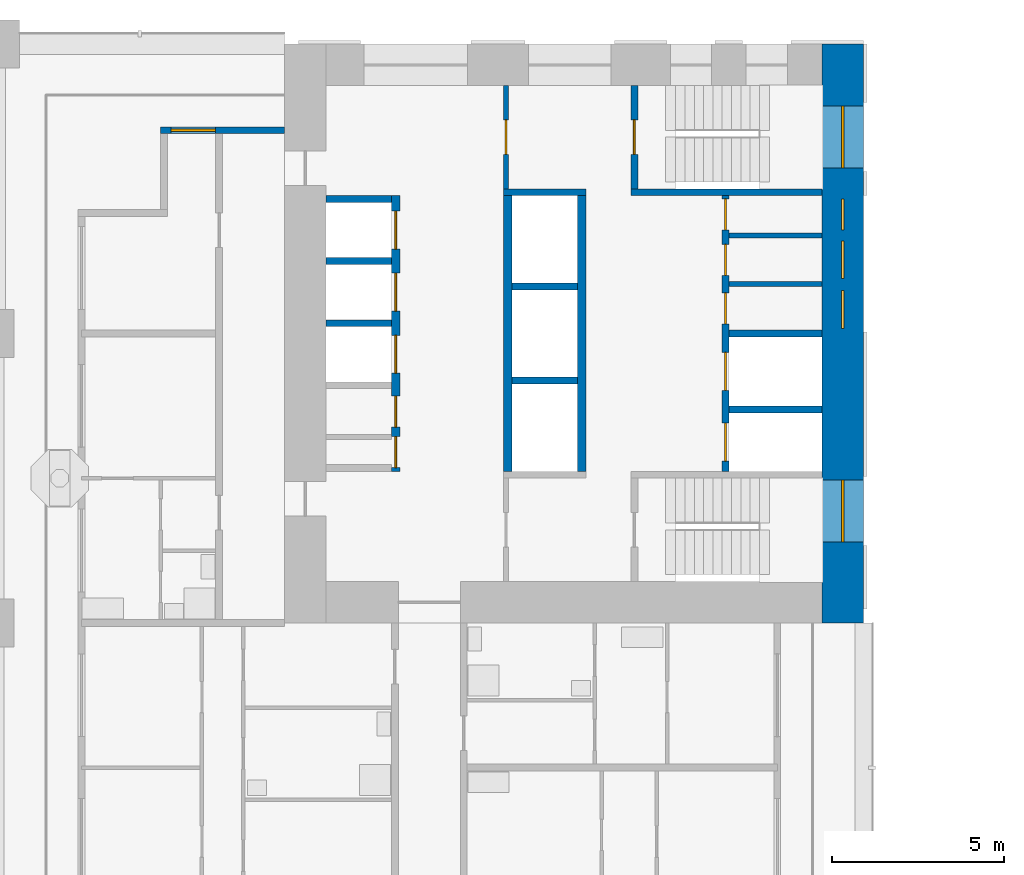
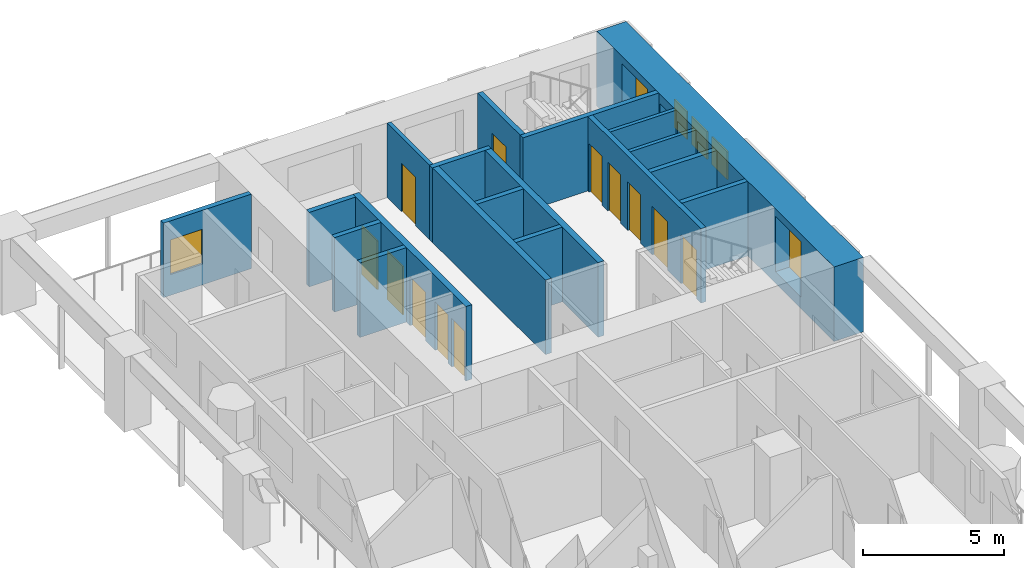
# One storey, part 10 of 22: 19 walls, 12 doors, 6 windows, 18 openings.
"""IFC4 building model written with IfcOpenShell, lengths in metres."""

from ifc_helpers import new_model, si_unit, direction, frame, frame_2d, origin, place, context, subcontext, project, spatial, rectangle, extrude, material, layer, layer_set, type_object, element, fill, save


model = new_model("IFC4")

# Units and contexts
model_context = context("Model", 3, precision=1e-05, world=origin(), true_north=direction((0.0, 1.0)))
body_context = subcontext(model_context, "Body", "Model", "MODEL_VIEW")
ifc_project = project(units=[si_unit("LENGTHUNIT", "METRE"), si_unit("AREAUNIT", "SQUARE_METRE"), si_unit("VOLUMEUNIT", "CUBIC_METRE"), si_unit("PLANEANGLEUNIT", "RADIAN"), si_unit("MASSUNIT", "GRAM", prefix="KILO")], contexts=[model_context])

# Site, building, storey
site_placement = place(None, origin())
site = spatial("IfcSite", under=ifc_project, at=site_placement, CompositionType="ELEMENT")
building_placement = place(site_placement, origin())
building = spatial("IfcBuilding", under=site, at=building_placement, Name="Vermilion Gate Residences", CompositionType="ELEMENT")
storey_placement = place(building_placement, frame((0.0, 0.0, 63.699951171875)))
storey = spatial("IfcBuildingStorey", under=building, at=storey_placement, Name="L15", CompositionType="ELEMENT", Elevation=63.699951171875)

# Walls
ifc_material_1 = material(Name="Masonry blockwork", Category="masonry")
ifc_layer_1 = layer(ifc_material_1, 0.14990234375)
ifc_layer_set_1 = layer_set([ifc_layer_1], Name="BLOCKWORK PARTITION 150 EI 120")
wall_type_1 = type_object("IfcWallType", Name="BLOCKWORK PARTITION 150 EI 120", PredefinedType="PARTITIONING", material=ifc_layer_set_1)
for number, where, z_axis, x_axis, name in (
    (1, (21.300048828125, 53.2451171875, 0.0), (0.0, 0.0, 1.0), (1.0, 0.0, 0.0), "Core room partition B15-NR-P0"),
    (2, (21.300048828125, 51.8349609375, 0.0), (0.0, 0.0, 1.0), (1.0, 0.0, 0.0), "Core room partition B15-NR-P1"),
):
    element("IfcWall", number, at=place(storey_placement, frame(where, z_axis=z_axis, x_axis=x_axis)), inside=storey, type_object=wall_type_1, Name=name, PredefinedType="PARTITIONING", context=body_context, shape_type="SweptSolid", body=[
        extrude(rectangle(XDim=2.699951171875, YDim=0.14990234375, at=frame_2d((1.35009765625, 0.0))), origin(), (0.0, 0.0, 1.0), 3.219970703125),
    ])

# Wall, opening, door
wall_1_placement = place(storey_placement, frame((14.824951171875, 57.60009765625, 0.0), z_axis=(0.0, 0.0, 1.0), x_axis=(0.0, -1.0, 0.0)))
wall_1 = element("IfcWall", 3, at=wall_1_placement, inside=storey, type_object=wall_type_1, Name="Core room partition B15-VW-S", PredefinedType="PARTITIONING", context=body_context, shape_type="SweptSolid", body=[
    extrude(rectangle(XDim=3.0, YDim=0.14990234375, at=frame_2d((1.5, 0.0))), origin(), (0.0, 0.0, 1.0), 3.219970703125),
])
opening_1_placement = place(wall_1_placement, frame((1.0, 0.0, 0.0)))
opening_1 = element("IfcOpeningElement", 4, at=opening_1_placement, cuts=wall_1, Name="Opening DK15114", PredefinedType="OPENING", context=body_context, shape_type="SweptSolid", body=[
    extrude(rectangle(XDim=1.0, YDim=2.10009765625, at=frame_2d((0.5, 1.050048828125))), frame((0.0, 0.0849609375, 0.0), z_axis=(0.0, -1.0, 0.0), x_axis=(1.0, 0.0, 0.0)), (0.0, 0.0, 1.0), 0.169921875),
])
ifc_material_2 = material(Name="Steel", Category="steel")
door_type_1 = type_object("IfcDoorType", Name="FIRE DOOR FD60 1000 X 2100", OperationType="SINGLE_SWING_LEFT", PredefinedType="DOOR", material=ifc_material_2)
door_1_placement = place(opening_1_placement, frame((1.0, 0.0, 0.0), z_axis=(0.0, 0.0, 1.0), x_axis=(-1.0, 0.0, 0.0)))
door_1 = element("IfcDoor", 5, at=door_1_placement, inside=storey, type_object=door_type_1, Name="Stair vestibule door B15", OperationType="SINGLE_SWING_RIGHT", OverallHeight=2.10009765625, OverallWidth=1.0, PredefinedType="DOOR", context=body_context, shape_type="SweptSolid", body=[
    extrude(rectangle(XDim=1.0, YDim=2.10009765625, at=frame_2d((0.5, 1.050048828125))), frame((0.0, 0.02490234375, 0.0), z_axis=(0.0, -1.0, 0.0), x_axis=(1.0, 0.0, 0.0)), (0.0, 0.0, 1.0), 0.050048828125),
])
fill(opening_1, door_1)

# Wall, opening, window
ifc_material_3 = material(Name="Insulated steel stud wall with terracotta rainscreen", Category="masonry")
ifc_layer_2 = layer(ifc_material_3, 0.199951171875)
ifc_layer_set_2 = layer_set([ifc_layer_2], Name="EXTERNAL WALL 200 TERRACOTTA RAINSCREEN")
wall_type_2 = type_object("IfcWallType", Name="EXTERNAL WALL 200 TERRACOTTA RAINSCREEN", PredefinedType="SOLIDWALL", material=ifc_layer_set_2)
wall_2_placement = place(storey_placement, frame((8.39990234375, 56.300048828125, 0.0), z_axis=(0.0, 0.0, 1.0), x_axis=(-1.0, 0.0, 0.0)))
wall_2 = element("IfcWall", 6, at=wall_2_placement, inside=storey, type_object=wall_type_2, Name="External wall", PredefinedType="SOLIDWALL", context=body_context, shape_type="SweptSolid", body=[
    extrude(rectangle(XDim=3.599853515625, YDim=0.199951171875, at=frame_2d((1.7998046875, 0.0))), origin(), (0.0, 0.0, 1.0), 3.219970703125),
])
opening_2_placement = place(wall_2_placement, frame((2.0, 0.0, 0.89990234375)))
opening_2 = element("IfcOpeningElement", 7, at=opening_2_placement, cuts=wall_2, Name="Opening WE15001", PredefinedType="OPENING", context=body_context, shape_type="SweptSolid", body=[
    extrude(rectangle(XDim=1.300048828125, YDim=1.5, at=frame_2d((0.64990234375, 0.75))), frame((0.0, 0.10986328125, 0.0), z_axis=(0.0, -1.0, 0.0), x_axis=(1.0, 0.0, 0.0)), (0.0, 0.0, 1.0), 0.219970703125),
])
ifc_material_4 = material(Name="Aluminium and clear glass", Category="aluminium")
window_type_1 = type_object("IfcWindowType", Name="WINDOW 1300 X 1500", PartitioningType="SINGLE_PANEL", PredefinedType="WINDOW", material=ifc_material_4)
window_1_placement = place(opening_2_placement, origin())
window_1 = element("IfcWindow", 8, at=window_1_placement, inside=storey, type_object=window_type_1, Name="Window", OverallHeight=1.5, OverallWidth=1.300048828125, PartitioningType="SINGLE_PANEL", PredefinedType="WINDOW", context=body_context, shape_type="SweptSolid", body=[
    extrude(rectangle(XDim=1.300048828125, YDim=1.5, at=frame_2d((0.64990234375, 0.75))), frame((0.0, 0.030029296875, 0.0), z_axis=(0.0, -1.0, 0.0), x_axis=(1.0, 0.0, 0.0)), (0.0, 0.0, 1.0), 0.06005859375),
])
fill(opening_2, window_1)

# Walls
ifc_material_5 = material(Name="Concrete C60", Category="concrete")
ifc_layer_3 = layer(ifc_material_5, 0.199951171875)
ifc_layer_set_3 = layer_set([ifc_layer_3], Name="RC CORE INTERNAL WALL 200 C60")
wall_type_3 = type_object("IfcWallType", Name="RC CORE INTERNAL WALL 200 C60", PredefinedType="SHEAR", material=ifc_layer_set_3)
for number, where, z_axis, x_axis, name in (
    (9, (9.60009765625, 54.300048828125, 0.0), (0.0, 0.0, 1.0), (1.0, 0.0, 0.0), "Core internal wall B15-LR-D0"),
    (10, (9.60009765625, 52.5, 0.0), (0.0, 0.0, 1.0), (1.0, 0.0, 0.0), "Core internal wall B15-LR-D1"),
    (11, (9.60009765625, 50.699951171875, 0.0), (0.0, 0.0, 1.0), (1.0, 0.0, 0.0), "Core internal wall B15-LR-D2"),
    (12, (15.0, 51.7666015625, 0.0), (0.0, 0.0, 1.0), (1.0, 0.0, 0.0), "Core internal wall B15-HR-D1"),
    (13, (15.0, 49.033447265625, 0.0), (0.0, 0.0, 1.0), (1.0, 0.0, 0.0), "Core internal wall B15-HR-D2"),
):
    element("IfcWall", number, at=place(storey_placement, frame(where, z_axis=z_axis, x_axis=x_axis)), inside=storey, type_object=wall_type_3, Name=name, PredefinedType="SHEAR", context=body_context, shape_type="SweptSolid", body=[
        extrude(rectangle(XDim=1.89990234375, YDim=0.199951171875, at=frame_2d((0.949951171875, 0.0))), origin(), (0.0, 0.0, 1.0), 3.219970703125),
    ])
for number, where, z_axis, x_axis, name in (
    (14, (21.300048828125, 50.39990234375, 0.0), (0.0, 0.0, 1.0), (1.0, 0.0, 0.0), "Core internal wall B15-FF-D0"),
    (15, (21.300048828125, 48.199951171875, 0.0), (0.0, 0.0, 1.0), (1.0, 0.0, 0.0), "Core internal wall B15-FF-D1"),
):
    element("IfcWall", number, at=place(storey_placement, frame(where, z_axis=z_axis, x_axis=x_axis)), inside=storey, type_object=wall_type_3, Name=name, PredefinedType="SHEAR", context=body_context, shape_type="SweptSolid", body=[
        extrude(rectangle(XDim=2.699951171875, YDim=0.199951171875, at=frame_2d((1.35009765625, 0.0))), origin(), (0.0, 0.0, 1.0), 3.219970703125),
    ])

# Wall, openings, doors
wall_3_placement = place(storey_placement, frame((21.199951171875, 54.39990234375, 0.0), z_axis=(0.0, 0.0, 1.0), x_axis=(0.0, -1.0, 0.0)))
wall_3 = element("IfcWall", 16, at=wall_3_placement, inside=storey, type_object=wall_type_3, Name="Core internal wall B15-FF-F", PredefinedType="SHEAR", context=body_context, shape_type="SweptSolid", body=[
    extrude(rectangle(XDim=8.0, YDim=0.199951171875, at=frame_2d((4.0, 0.0))), origin(), (0.0, 0.0, 1.0), 3.219970703125),
])
opening_3_placement = place(wall_3_placement, frame((0.090087890625, 0.0, 0.0)))
opening_3 = element("IfcOpeningElement", 17, at=opening_3_placement, cuts=wall_3, Name="Opening DK15109", PredefinedType="OPENING", context=body_context, shape_type="SweptSolid", body=[
    extrude(rectangle(XDim=0.89990234375, YDim=2.10009765625, at=frame_2d((0.449951171875, 1.050048828125))), frame((0.0, 0.10986328125, 0.0), z_axis=(0.0, -1.0, 0.0), x_axis=(1.0, 0.0, 0.0)), (0.0, 0.0, 1.0), 0.219970703125),
])
opening_4_placement = place(wall_3_placement, frame((1.409912109375, 0.0, 0.0)))
opening_4 = element("IfcOpeningElement", 18, at=opening_4_placement, cuts=wall_3, Name="Opening DK15110", PredefinedType="OPENING", context=body_context, shape_type="SweptSolid", body=[
    extrude(rectangle(XDim=0.89990234375, YDim=2.10009765625, at=frame_2d((0.449951171875, 1.050048828125))), frame((0.0, 0.10986328125, 0.0), z_axis=(0.0, -1.0, 0.0), x_axis=(1.0, 0.0, 0.0)), (0.0, 0.0, 1.0), 0.219970703125),
])
opening_5_placement = place(wall_3_placement, frame((2.820068359375, 0.0, 0.0)))
opening_5 = element("IfcOpeningElement", 19, at=opening_5_placement, cuts=wall_3, Name="Opening DK15111", PredefinedType="OPENING", context=body_context, shape_type="SweptSolid", body=[
    extrude(rectangle(XDim=0.89990234375, YDim=2.10009765625, at=frame_2d((0.449951171875, 1.050048828125))), frame((0.0, 0.10986328125, 0.0), z_axis=(0.0, -1.0, 0.0), x_axis=(1.0, 0.0, 0.0)), (0.0, 0.0, 1.0), 0.219970703125),
])
opening_6_placement = place(wall_3_placement, frame((4.550048828125, 0.0, 0.0)))
opening_6 = element("IfcOpeningElement", 20, at=opening_6_placement, cuts=wall_3, Name="Opening LD", PredefinedType="OPENING", context=body_context, shape_type="SweptSolid", body=[
    extrude(rectangle(XDim=1.10009765625, YDim=2.10009765625, at=frame_2d((0.550048828125, 1.050048828125))), frame((0.0, 0.10986328125, 0.0), z_axis=(0.0, -1.0, 0.0), x_axis=(1.0, 0.0, 0.0)), (0.0, 0.0, 1.0), 0.219970703125),
])
opening_7_placement = place(wall_3_placement, frame((6.60009765625, 0.0, 0.0)))
opening_7 = element("IfcOpeningElement", 21, at=opening_7_placement, cuts=wall_3, Name="Opening LD", PredefinedType="OPENING", context=body_context, shape_type="SweptSolid", body=[
    extrude(rectangle(XDim=1.10009765625, YDim=2.10009765625, at=frame_2d((0.550048828125, 1.050048828125))), frame((0.0, 0.10986328125, 0.0), z_axis=(0.0, -1.0, 0.0), x_axis=(1.0, 0.0, 0.0)), (0.0, 0.0, 1.0), 0.219970703125),
])
ifc_material_6 = material(Name="Stainless steel", Category="steel")
door_type_2 = type_object("IfcDoorType", Name="LIFT LANDING DOOR E60 1100 X 2100", OperationType="DOUBLE_DOOR_SLIDING", PredefinedType="DOOR", material=ifc_material_6)
door_2_placement = place(opening_6_placement, origin())
door_2 = element("IfcDoor", 22, at=door_2_placement, inside=storey, type_object=door_type_2, Name="Lift landing door LFB1", OperationType="DOUBLE_DOOR_SLIDING", OverallHeight=2.10009765625, OverallWidth=1.10009765625, PredefinedType="DOOR", context=body_context, shape_type="SweptSolid", body=[
    extrude(rectangle(XDim=1.10009765625, YDim=2.10009765625, at=frame_2d((0.550048828125, 1.050048828125))), frame((0.0, 0.02490234375, 0.0), z_axis=(0.0, -1.0, 0.0), x_axis=(1.0, 0.0, 0.0)), (0.0, 0.0, 1.0), 0.050048828125),
])
fill(opening_6, door_2)
door_3_placement = place(opening_7_placement, origin())
door_3 = element("IfcDoor", 23, at=door_3_placement, inside=storey, type_object=door_type_2, Name="Lift landing door LCB1", OperationType="DOUBLE_DOOR_SLIDING", OverallHeight=2.10009765625, OverallWidth=1.10009765625, PredefinedType="DOOR", context=body_context, shape_type="SweptSolid", body=[
    extrude(rectangle(XDim=1.10009765625, YDim=2.10009765625, at=frame_2d((0.550048828125, 1.050048828125))), frame((0.0, 0.02490234375, 0.0), z_axis=(0.0, -1.0, 0.0), x_axis=(1.0, 0.0, 0.0)), (0.0, 0.0, 1.0), 0.050048828125),
])
fill(opening_7, door_3)
ifc_material_7 = material(Name="Steel", Category="steel")
door_type_3 = type_object("IfcDoorType", Name="SERVICE ROOM DOOR FD60 900 X 2100", OperationType="SINGLE_SWING_LEFT", PredefinedType="DOOR", material=ifc_material_7)
door_4_placement = place(opening_3_placement, origin())
door_4 = element("IfcDoor", 24, at=door_4_placement, inside=storey, type_object=door_type_3, Name="Housekeeping store B15", OperationType="SINGLE_SWING_RIGHT", OverallHeight=2.10009765625, OverallWidth=0.89990234375, PredefinedType="DOOR", context=body_context, shape_type="SweptSolid", body=[
    extrude(rectangle(XDim=0.89990234375, YDim=2.10009765625, at=frame_2d((0.449951171875, 1.050048828125))), frame((0.0, 0.02490234375, 0.0), z_axis=(0.0, -1.0, 0.0), x_axis=(1.0, 0.0, 0.0)), (0.0, 0.0, 1.0), 0.050048828125),
])
fill(opening_3, door_4)
door_5_placement = place(opening_4_placement, origin())
door_5 = element("IfcDoor", 25, at=door_5_placement, inside=storey, type_object=door_type_3, Name="Mail room B15", OperationType="SINGLE_SWING_LEFT", OverallHeight=2.10009765625, OverallWidth=0.89990234375, PredefinedType="DOOR", context=body_context, shape_type="SweptSolid", body=[
    extrude(rectangle(XDim=0.89990234375, YDim=2.10009765625, at=frame_2d((0.449951171875, 1.050048828125))), frame((0.0, 0.02490234375, 0.0), z_axis=(0.0, -1.0, 0.0), x_axis=(1.0, 0.0, 0.0)), (0.0, 0.0, 1.0), 0.050048828125),
])
fill(opening_4, door_5)
door_6_placement = place(opening_5_placement, origin())
door_6 = element("IfcDoor", 26, at=door_6_placement, inside=storey, type_object=door_type_3, Name="Electrical riser B15", OperationType="SINGLE_SWING_LEFT", OverallHeight=2.10009765625, OverallWidth=0.89990234375, PredefinedType="DOOR", context=body_context, shape_type="SweptSolid", body=[
    extrude(rectangle(XDim=0.89990234375, YDim=2.10009765625, at=frame_2d((0.449951171875, 1.050048828125))), frame((0.0, 0.02490234375, 0.0), z_axis=(0.0, -1.0, 0.0), x_axis=(1.0, 0.0, 0.0)), (0.0, 0.0, 1.0), 0.050048828125),
])
fill(opening_5, door_6)

# Walls
wall_4_placement = place(storey_placement, frame((14.75, 54.5, 0.0), z_axis=(0.0, 0.0, 1.0), x_axis=(1.0, 0.0, 0.0)))
element("IfcWall", 27, at=wall_4_placement, inside=storey, type_object=wall_type_3, Name="Core internal wall B15-WDIV1", PredefinedType="SHEAR", context=body_context, shape_type="SweptSolid", body=[
    extrude(rectangle(XDim=2.39990234375, YDim=0.199951171875, at=frame_2d((1.199951171875, 0.0))), origin(), (0.0, 0.0, 1.0), 3.219970703125),
])
wall_5_placement = place(storey_placement, frame((18.449951171875, 54.5, 0.0), z_axis=(0.0, 0.0, 1.0), x_axis=(1.0, 0.0, 0.0)))
element("IfcWall", 28, at=wall_5_placement, inside=storey, type_object=wall_type_3, Name="Core internal wall B15-WDIV2", PredefinedType="SHEAR", context=body_context, shape_type="SweptSolid", body=[
    extrude(rectangle(XDim=5.550048828125, YDim=0.199951171875, at=frame_2d((2.77490234375, 0.0))), origin(), (0.0, 0.0, 1.0), 3.219970703125),
])

# Wall, opening, door
wall_6_placement = place(storey_placement, frame((18.550048828125, 57.60009765625, 0.0), z_axis=(0.0, 0.0, 1.0), x_axis=(0.0, -1.0, 0.0)))
wall_6 = element("IfcWall", 29, at=wall_6_placement, inside=storey, type_object=wall_type_3, Name="Core internal wall B15-STW-S", PredefinedType="SHEAR", context=body_context, shape_type="SweptSolid", body=[
    extrude(rectangle(XDim=3.0, YDim=0.199951171875, at=frame_2d((1.5, 0.0))), origin(), (0.0, 0.0, 1.0), 3.219970703125),
])
opening_8_placement = place(wall_6_placement, frame((1.0, 0.0, 0.0)))
opening_8 = element("IfcOpeningElement", 30, at=opening_8_placement, cuts=wall_6, Name="Opening DK15115", PredefinedType="OPENING", context=body_context, shape_type="SweptSolid", body=[
    extrude(rectangle(XDim=1.0, YDim=2.10009765625, at=frame_2d((0.5, 1.050048828125))), frame((0.0, 0.10986328125, 0.0), z_axis=(0.0, -1.0, 0.0), x_axis=(1.0, 0.0, 0.0)), (0.0, 0.0, 1.0), 0.219970703125),
])
door_7_placement = place(opening_8_placement, origin())
door_7 = element("IfcDoor", 31, at=door_7_placement, inside=storey, type_object=door_type_1, Name="Stair door B15", OperationType="SINGLE_SWING_LEFT", OverallHeight=2.10009765625, OverallWidth=1.0, PredefinedType="DOOR", context=body_context, shape_type="SweptSolid", body=[
    extrude(rectangle(XDim=1.0, YDim=2.10009765625, at=frame_2d((0.5, 1.050048828125))), frame((0.0, 0.02490234375, 0.0), z_axis=(0.0, -1.0, 0.0), x_axis=(1.0, 0.0, 0.0)), (0.0, 0.0, 1.0), 0.050048828125),
])
fill(opening_8, door_7)

# Wall, openings, windows
ifc_material_8 = material(Name="Concrete C80 red-oxide pigmented", Category="concrete")
ifc_layer_4 = layer(ifc_material_8, 1.199951171875)
ifc_layer_set_4 = layer_set([ifc_layer_4], Name="RC CORE WALL 1200 C80 RED OXIDE")
wall_type_4 = type_object("IfcWallType", Name="RC CORE WALL 1200 C80 RED OXIDE", PredefinedType="SHEAR", material=ifc_layer_set_4)
wall_7_placement = place(storey_placement, frame((24.60009765625, 58.800048828125, 0.0), z_axis=(0.0, 0.0, 1.0), x_axis=(0.0, -1.0, 0.0)))
wall_7 = element("IfcWall", 32, at=wall_7_placement, inside=storey, type_object=wall_type_4, Name="Core wall B15-OUT-B1", PredefinedType="SHEAR", context=body_context, shape_type="SweptSolid", body=[
    extrude(rectangle(XDim=16.800048828125, YDim=1.199951171875, at=frame_2d((8.39990234375, 0.0))), origin(), (0.0, 0.0, 1.0), 3.219970703125),
])
opening_9_placement = place(wall_7_placement, frame((1.800048828125, 0.0, 0.5)))
opening_9 = element("IfcOpeningElement", 33, at=opening_9_placement, cuts=wall_7, Name="Opening WKB1501", PredefinedType="OPENING", context=body_context, shape_type="SweptSolid", body=[
    extrude(rectangle(XDim=1.800048828125, YDim=2.39990234375, at=frame_2d((0.89990234375, 1.199951171875))), frame((0.0, 0.60986328125, 0.0), z_axis=(0.0, -1.0, 0.0), x_axis=(1.0, 0.0, 0.0)), (0.0, 0.0, 1.0), 1.219970703125),
])
opening_10_placement = place(wall_7_placement, frame((4.489990234375, 0.0, 1.60009765625)))
opening_10 = element("IfcOpeningElement", 34, at=opening_10_placement, cuts=wall_7, Name="Opening WKB1502", PredefinedType="OPENING", context=body_context, shape_type="SweptSolid", body=[
    extrude(rectangle(XDim=0.89990234375, YDim=1.199951171875, at=frame_2d((0.449951171875, 0.60009765625))), frame((0.0, 0.60986328125, 0.0), z_axis=(0.0, -1.0, 0.0), x_axis=(1.0, 0.0, 0.0)), (0.0, 0.0, 1.0), 1.219970703125),
])
opening_11_placement = place(wall_7_placement, frame((5.7099609375, 0.0, 1.60009765625)))
opening_11 = element("IfcOpeningElement", 35, at=opening_11_placement, cuts=wall_7, Name="Opening WKB1503", PredefinedType="OPENING", context=body_context, shape_type="SweptSolid", body=[
    extrude(rectangle(XDim=1.10009765625, YDim=1.199951171875, at=frame_2d((0.550048828125, 0.60009765625))), frame((0.0, 0.60986328125, 0.0), z_axis=(0.0, -1.0, 0.0), x_axis=(1.0, 0.0, 0.0)), (0.0, 0.0, 1.0), 1.219970703125),
])
opening_12_placement = place(wall_7_placement, frame((7.14990234375, 0.0, 1.60009765625)))
opening_12 = element("IfcOpeningElement", 36, at=opening_12_placement, cuts=wall_7, Name="Opening WKB1504", PredefinedType="OPENING", context=body_context, shape_type="SweptSolid", body=[
    extrude(rectangle(XDim=1.10009765625, YDim=1.199951171875, at=frame_2d((0.550048828125, 0.60009765625))), frame((0.0, 0.60986328125, 0.0), z_axis=(0.0, -1.0, 0.0), x_axis=(1.0, 0.0, 0.0)), (0.0, 0.0, 1.0), 1.219970703125),
])
opening_13_placement = place(wall_7_placement, frame((12.64990234375, 0.0, 0.5)))
opening_13 = element("IfcOpeningElement", 37, at=opening_13_placement, cuts=wall_7, Name="Opening WKB1505", PredefinedType="OPENING", context=body_context, shape_type="SweptSolid", body=[
    extrude(rectangle(XDim=1.800048828125, YDim=2.39990234375, at=frame_2d((0.89990234375, 1.199951171875))), frame((0.0, 0.60986328125, 0.0), z_axis=(0.0, -1.0, 0.0), x_axis=(1.0, 0.0, 0.0)), (0.0, 0.0, 1.0), 1.219970703125),
])
ifc_material_9 = material(Name="Aluminium frame with louvre blades", Category="aluminium")
window_type_2 = type_object("IfcWindowType", Name="CORE LOUVRE 1100 X 1200", PartitioningType="SINGLE_PANEL", PredefinedType="WINDOW", material=ifc_material_9)
window_2_placement = place(opening_11_placement, origin())
window_2 = element("IfcWindow", 38, at=window_2_placement, inside=storey, type_object=window_type_2, Name="Core louvre", OverallHeight=1.199951171875, OverallWidth=1.10009765625, PartitioningType="SINGLE_PANEL", PredefinedType="WINDOW", context=body_context, shape_type="SweptSolid", body=[
    extrude(rectangle(XDim=1.10009765625, YDim=1.199951171875, at=frame_2d((0.550048828125, 0.60009765625))), frame((0.0, 0.030029296875, 0.0), z_axis=(0.0, -1.0, 0.0), x_axis=(1.0, 0.0, 0.0)), (0.0, 0.0, 1.0), 0.06005859375),
])
fill(opening_11, window_2)
window_3_placement = place(opening_12_placement, origin())
window_3 = element("IfcWindow", 39, at=window_3_placement, inside=storey, type_object=window_type_2, Name="Core louvre", OverallHeight=1.199951171875, OverallWidth=1.10009765625, PartitioningType="SINGLE_PANEL", PredefinedType="WINDOW", context=body_context, shape_type="SweptSolid", body=[
    extrude(rectangle(XDim=1.10009765625, YDim=1.199951171875, at=frame_2d((0.550048828125, 0.60009765625))), frame((0.0, 0.030029296875, 0.0), z_axis=(0.0, -1.0, 0.0), x_axis=(1.0, 0.0, 0.0)), (0.0, 0.0, 1.0), 0.06005859375),
])
fill(opening_12, window_3)
ifc_material_10 = material(Name="Aluminium frame with louvre blades", Category="aluminium")
window_type_3 = type_object("IfcWindowType", Name="CORE LOUVRE 900 X 1200", PartitioningType="SINGLE_PANEL", PredefinedType="WINDOW", material=ifc_material_10)
window_4_placement = place(opening_10_placement, origin())
window_4 = element("IfcWindow", 40, at=window_4_placement, inside=storey, type_object=window_type_3, Name="Core louvre", OverallHeight=1.199951171875, OverallWidth=0.89990234375, PartitioningType="SINGLE_PANEL", PredefinedType="WINDOW", context=body_context, shape_type="SweptSolid", body=[
    extrude(rectangle(XDim=0.89990234375, YDim=1.199951171875, at=frame_2d((0.449951171875, 0.60009765625))), frame((0.0, 0.030029296875, 0.0), z_axis=(0.0, -1.0, 0.0), x_axis=(1.0, 0.0, 0.0)), (0.0, 0.0, 1.0), 0.06005859375),
])
fill(opening_10, window_4)
ifc_material_11 = material(Name="Aluminium and clear glass", Category="aluminium")
window_type_4 = type_object("IfcWindowType", Name="CORE STAIR WINDOW 1800 X 2400", PartitioningType="SINGLE_PANEL", PredefinedType="WINDOW", material=ifc_material_11)
window_5_placement = place(opening_9_placement, origin())
window_5 = element("IfcWindow", 41, at=window_5_placement, inside=storey, type_object=window_type_4, Name="Core stair window", OverallHeight=2.39990234375, OverallWidth=1.800048828125, PartitioningType="SINGLE_PANEL", PredefinedType="WINDOW", context=body_context, shape_type="SweptSolid", body=[
    extrude(rectangle(XDim=1.800048828125, YDim=2.39990234375, at=frame_2d((0.89990234375, 1.199951171875))), frame((0.0, 0.030029296875, 0.0), z_axis=(0.0, -1.0, 0.0), x_axis=(1.0, 0.0, 0.0)), (0.0, 0.0, 1.0), 0.06005859375),
])
fill(opening_9, window_5)
window_6_placement = place(opening_13_placement, origin())
window_6 = element("IfcWindow", 42, at=window_6_placement, inside=storey, type_object=window_type_4, Name="Core stair window", OverallHeight=2.39990234375, OverallWidth=1.800048828125, PartitioningType="SINGLE_PANEL", PredefinedType="WINDOW", context=body_context, shape_type="SweptSolid", body=[
    extrude(rectangle(XDim=1.800048828125, YDim=2.39990234375, at=frame_2d((0.89990234375, 1.199951171875))), frame((0.0, 0.030029296875, 0.0), z_axis=(0.0, -1.0, 0.0), x_axis=(1.0, 0.0, 0.0)), (0.0, 0.0, 1.0), 0.06005859375),
])
fill(opening_13, window_6)

# Wall, openings, doors
ifc_material_12 = material(Name="Concrete C60", Category="concrete")
ifc_layer_5 = layer(ifc_material_12, 0.25)
ifc_layer_set_5 = layer_set([ifc_layer_5], Name="RC LIFT SHAFT WALL 250 C60")
wall_type_5 = type_object("IfcWallType", Name="RC LIFT SHAFT WALL 250 C60", PredefinedType="SHEAR", material=ifc_layer_set_5)
wall_8_placement = place(storey_placement, frame((11.625, 54.39990234375, 0.0), z_axis=(0.0, 0.0, 1.0), x_axis=(0.0, -1.0, 0.0)))
wall_8 = element("IfcWall", 43, at=wall_8_placement, inside=storey, type_object=wall_type_5, Name="Lift shaft wall B15-LR-F", PredefinedType="SHEAR", context=body_context, shape_type="SweptSolid", body=[
    extrude(rectangle(XDim=8.0, YDim=0.25, at=frame_2d((4.0, 0.0))), origin(), (0.0, 0.0, 1.0), 3.219970703125),
])
opening_14_placement = place(wall_8_placement, frame((0.449951171875, 0.0, 0.0)))
opening_14 = element("IfcOpeningElement", 44, at=opening_14_placement, cuts=wall_8, Name="Opening LD", PredefinedType="OPENING", context=body_context, shape_type="SweptSolid", body=[
    extrude(rectangle(XDim=1.10009765625, YDim=2.10009765625, at=frame_2d((0.550048828125, 1.050048828125))), frame((0.0, 0.135009765625, 0.0), z_axis=(0.0, -1.0, 0.0), x_axis=(1.0, 0.0, 0.0)), (0.0, 0.0, 1.0), 0.27001953125),
])
opening_15_placement = place(wall_8_placement, frame((2.25, 0.0, 0.0)))
opening_15 = element("IfcOpeningElement", 45, at=opening_15_placement, cuts=wall_8, Name="Opening LD", PredefinedType="OPENING", context=body_context, shape_type="SweptSolid", body=[
    extrude(rectangle(XDim=1.10009765625, YDim=2.10009765625, at=frame_2d((0.550048828125, 1.050048828125))), frame((0.0, 0.135009765625, 0.0), z_axis=(0.0, -1.0, 0.0), x_axis=(1.0, 0.0, 0.0)), (0.0, 0.0, 1.0), 0.27001953125),
])
opening_16_placement = place(wall_8_placement, frame((4.050048828125, 0.0, 0.0)))
opening_16 = element("IfcOpeningElement", 46, at=opening_16_placement, cuts=wall_8, Name="Opening LD", PredefinedType="OPENING", context=body_context, shape_type="SweptSolid", body=[
    extrude(rectangle(XDim=1.10009765625, YDim=2.10009765625, at=frame_2d((0.550048828125, 1.050048828125))), frame((0.0, 0.135009765625, 0.0), z_axis=(0.0, -1.0, 0.0), x_axis=(1.0, 0.0, 0.0)), (0.0, 0.0, 1.0), 0.27001953125),
])
opening_17_placement = place(wall_8_placement, frame((5.816162109375, 0.0, 0.0)))
opening_17 = element("IfcOpeningElement", 47, at=opening_17_placement, cuts=wall_8, Name="Opening DK15107", PredefinedType="OPENING", context=body_context, shape_type="SweptSolid", body=[
    extrude(rectangle(XDim=0.89990234375, YDim=2.10009765625, at=frame_2d((0.449951171875, 1.050048828125))), frame((0.0, 0.135009765625, 0.0), z_axis=(0.0, -1.0, 0.0), x_axis=(1.0, 0.0, 0.0)), (0.0, 0.0, 1.0), 0.27001953125),
])
opening_18_placement = place(wall_8_placement, frame((6.9912109375, 0.0, 0.0)))
opening_18 = element("IfcOpeningElement", 48, at=opening_18_placement, cuts=wall_8, Name="Opening DK15108", PredefinedType="OPENING", context=body_context, shape_type="SweptSolid", body=[
    extrude(rectangle(XDim=0.89990234375, YDim=2.10009765625, at=frame_2d((0.449951171875, 1.050048828125))), frame((0.0, 0.135009765625, 0.0), z_axis=(0.0, -1.0, 0.0), x_axis=(1.0, 0.0, 0.0)), (0.0, 0.0, 1.0), 0.27001953125),
])
door_8_placement = place(opening_14_placement, origin())
door_8 = element("IfcDoor", 49, at=door_8_placement, inside=storey, type_object=door_type_2, Name="Lift landing door LRB1", OperationType="DOUBLE_DOOR_SLIDING", OverallHeight=2.10009765625, OverallWidth=1.10009765625, PredefinedType="DOOR", context=body_context, shape_type="SweptSolid", body=[
    extrude(rectangle(XDim=1.10009765625, YDim=2.10009765625, at=frame_2d((0.550048828125, 1.050048828125))), frame((0.0, 0.02490234375, 0.0), z_axis=(0.0, -1.0, 0.0), x_axis=(1.0, 0.0, 0.0)), (0.0, 0.0, 1.0), 0.050048828125),
])
fill(opening_14, door_8)
door_9_placement = place(opening_15_placement, origin())
door_9 = element("IfcDoor", 50, at=door_9_placement, inside=storey, type_object=door_type_2, Name="Lift landing door LRB2", OperationType="DOUBLE_DOOR_SLIDING", OverallHeight=2.10009765625, OverallWidth=1.10009765625, PredefinedType="DOOR", context=body_context, shape_type="SweptSolid", body=[
    extrude(rectangle(XDim=1.10009765625, YDim=2.10009765625, at=frame_2d((0.550048828125, 1.050048828125))), frame((0.0, 0.02490234375, 0.0), z_axis=(0.0, -1.0, 0.0), x_axis=(1.0, 0.0, 0.0)), (0.0, 0.0, 1.0), 0.050048828125),
])
fill(opening_15, door_9)
door_10_placement = place(opening_16_placement, origin())
door_10 = element("IfcDoor", 51, at=door_10_placement, inside=storey, type_object=door_type_2, Name="Lift landing door LRB3", OperationType="DOUBLE_DOOR_SLIDING", OverallHeight=2.10009765625, OverallWidth=1.10009765625, PredefinedType="DOOR", context=body_context, shape_type="SweptSolid", body=[
    extrude(rectangle(XDim=1.10009765625, YDim=2.10009765625, at=frame_2d((0.550048828125, 1.050048828125))), frame((0.0, 0.02490234375, 0.0), z_axis=(0.0, -1.0, 0.0), x_axis=(1.0, 0.0, 0.0)), (0.0, 0.0, 1.0), 0.050048828125),
])
fill(opening_16, door_10)
door_11_placement = place(opening_17_placement, origin())
door_11 = element("IfcDoor", 52, at=door_11_placement, inside=storey, type_object=door_type_3, Name="Electrical room B15", OperationType="SINGLE_SWING_LEFT", OverallHeight=2.10009765625, OverallWidth=0.89990234375, PredefinedType="DOOR", context=body_context, shape_type="SweptSolid", body=[
    extrude(rectangle(XDim=0.89990234375, YDim=2.10009765625, at=frame_2d((0.449951171875, 1.050048828125))), frame((0.0, 0.02490234375, 0.0), z_axis=(0.0, -1.0, 0.0), x_axis=(1.0, 0.0, 0.0)), (0.0, 0.0, 1.0), 0.050048828125),
])
fill(opening_17, door_11)
door_12_placement = place(opening_18_placement, origin())
door_12 = element("IfcDoor", 53, at=door_12_placement, inside=storey, type_object=door_type_3, Name="Communications room B15", OperationType="SINGLE_SWING_LEFT", OverallHeight=2.10009765625, OverallWidth=0.89990234375, PredefinedType="DOOR", context=body_context, shape_type="SweptSolid", body=[
    extrude(rectangle(XDim=0.89990234375, YDim=2.10009765625, at=frame_2d((0.449951171875, 1.050048828125))), frame((0.0, 0.02490234375, 0.0), z_axis=(0.0, -1.0, 0.0), x_axis=(1.0, 0.0, 0.0)), (0.0, 0.0, 1.0), 0.050048828125),
])
fill(opening_18, door_12)

# Walls
for number, where, z_axis, x_axis, name in (
    (54, (14.875, 54.39990234375, 0.0), (0.0, 0.0, 1.0), (0.0, -1.0, 0.0), "Lift shaft wall B15-HR-F"),
    (55, (17.02490234375, 54.39990234375, 0.0), (0.0, 0.0, 1.0), (0.0, -1.0, 0.0), "Lift shaft wall B15-HR-B"),
):
    element("IfcWall", number, at=place(storey_placement, frame(where, z_axis=z_axis, x_axis=x_axis)), inside=storey, type_object=wall_type_5, Name=name, PredefinedType="SHEAR", context=body_context, shape_type="SweptSolid", body=[
        extrude(rectangle(XDim=8.0, YDim=0.25, at=frame_2d((4.0, 0.0))), origin(), (0.0, 0.0, 1.0), 3.219970703125),
    ])

save(model, "model.ifc")
